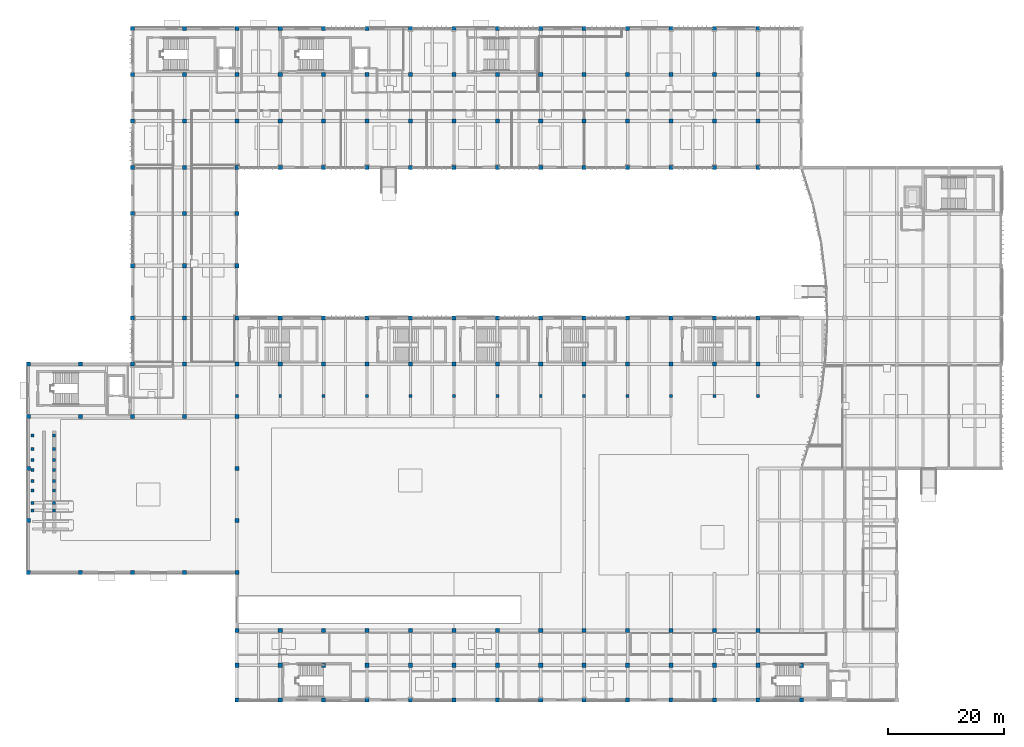
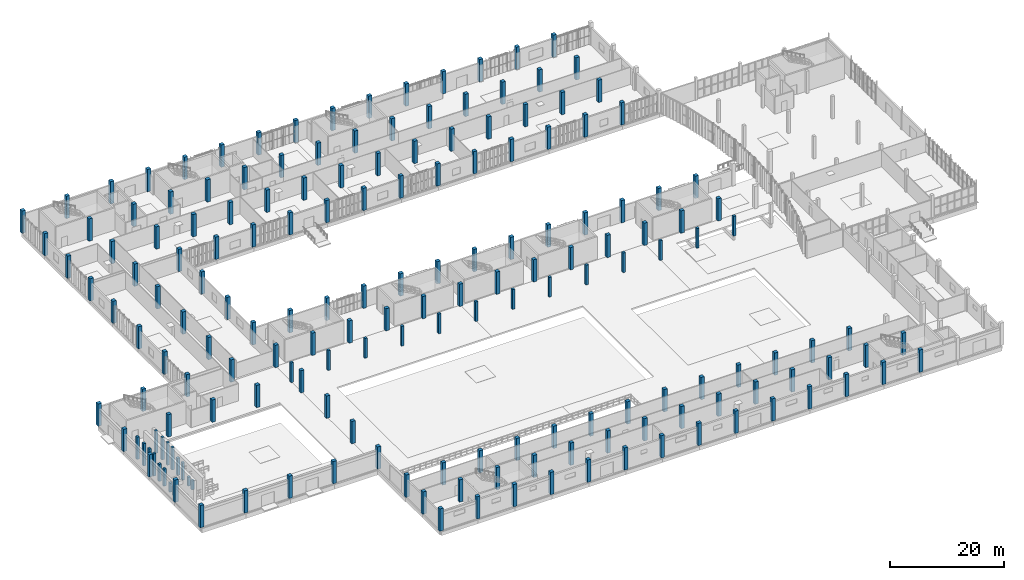
# One storey, part 1 of 72: 182 columns.
"""IFC4 building model written with IfcOpenShell, lengths in metres."""

import ifcopenshell
import ifcopenshell.guid

model = None  # the IFC model being written
_history = None  # IfcOwnerHistory: only IFC2X3 demands one
_inside = {}  # id of a spatial element -> (the spatial element, [elements in it])
_under = {}  # id of a project, library or spatial element -> (it, [spatial elements below it])
_declared = {}  # id of a project -> (the project, [libraries it declares])
_typed = {}  # id of a type object -> (the type object, [elements of that type])
_made_of = {}  # id of a material, layer set ... -> (it, [elements and type objects made of it])


def new_model(schema):
    """Start an empty IFC model of exactly this schema.

    Asked for "IFC4X3", IfcOpenShell would pick the latest addendum, in which some entities
    have other attributes; the version numbers below select the first issue.
    IFC2X3 requires an IfcOwnerHistory on every rooted entity: one is made here for all.
    """
    global model, _history
    if schema == "IFC4X3":
        model = ifcopenshell.file(schema_version=(4, 3, 0, 0))
    else:
        model = ifcopenshell.file(schema=schema)
    _inside.clear()
    _under.clear()
    _declared.clear()
    _typed.clear()
    _made_of.clear()
    _history = None
    if model.schema == "IFC2X3":
        org = make("IfcOrganization", Name="unknown")
        user = make(
            "IfcPersonAndOrganization",
            ThePerson=make("IfcPerson", FamilyName="unknown"),
            TheOrganization=org,
        )
        app = make(
            "IfcApplication",
            ApplicationDeveloper=org,
            Version="unknown",
            ApplicationFullName="unknown",
            ApplicationIdentifier="unknown",
        )
        _history = make(
            "IfcOwnerHistory",
            OwningUser=user,
            OwningApplication=app,
            ChangeAction="ADDED",
            CreationDate=0,
        )
    return model


def make(cls, **values):
    """One entity of the class cls with the attributes given. An attribute that is None is left unset."""
    return model.create_entity(
        cls, **{name: value for name, value in values.items() if value is not None}
    )


def rooted(cls, **values):
    """An entity with a GlobalId (a new one), such as an element, a storey or a relation."""
    return make(cls, GlobalId=ifcopenshell.guid.new(), OwnerHistory=_history, **values)


def si_unit(unit_type, name, prefix=None):
    """IfcSIUnit, for example si_unit("LENGTHUNIT", "METRE", prefix="MILLI")."""
    return make("IfcSIUnit", UnitType=unit_type, Prefix=prefix, Name=name)


def assignment(units):
    """IfcUnitAssignment: the units of a project."""
    return None if units is None else make("IfcUnitAssignment", Units=units)


def point(xyz):
    """IfcCartesianPoint."""
    return None if xyz is None else make("IfcCartesianPoint", Coordinates=xyz)


def direction(xyz):
    """IfcDirection."""
    return None if xyz is None else make("IfcDirection", DirectionRatios=xyz)


def frame(location, z_axis=None, x_axis=None):
    """IfcAxis2Placement3D, a coordinate frame: its origin and axes. An axis left out is left unset."""
    return make(
        "IfcAxis2Placement3D",
        Location=point(location),
        Axis=direction(z_axis),
        RefDirection=direction(x_axis),
    )


def frame_2d(location, x_axis=None):
    """IfcAxis2Placement2D, a coordinate frame in the plane: its origin and x axis."""
    return make(
        "IfcAxis2Placement2D", Location=point(location), RefDirection=direction(x_axis)
    )


def origin():
    """The frame at (0, 0, 0) with its axes left unset."""
    return frame((0.0, 0.0, 0.0))


def origin_2d():
    """The frame at (0, 0) in the plane with its x axis left unset."""
    return frame_2d((0.0, 0.0))


def place(relative_to, where):
    """IfcLocalPlacement: puts the frame where relative to a parent placement (None: the world)."""
    return make(
        "IfcLocalPlacement", PlacementRelTo=relative_to, RelativePlacement=where
    )


def context(
    kind, dimensions, precision=None, world=None, true_north=None, identifier=None
):
    """IfcGeometricRepresentationContext, for example the 3D "Model" context."""
    return make(
        "IfcGeometricRepresentationContext",
        ContextIdentifier=identifier,
        ContextType=kind,
        CoordinateSpaceDimension=dimensions,
        Precision=precision,
        WorldCoordinateSystem=world,
        TrueNorth=true_north,
    )


def subcontext(parent, identifier, kind, view, scale=None):
    """IfcGeometricRepresentationSubContext, for example "Body" below "Model"."""
    return make(
        "IfcGeometricRepresentationSubContext",
        ContextIdentifier=identifier,
        ContextType=kind,
        ParentContext=parent,
        TargetScale=scale,
        TargetView=view,
    )


def project(units=None, contexts=None):
    """IfcProject with its units and contexts."""
    return rooted(
        "IfcProject",
        Name="project",
        RepresentationContexts=contexts,
        UnitsInContext=assignment(units),
    )


def spatial(cls, under=None, at=None, **own):
    """A site, building, storey or space (cls), placed at a placement, below another one or the project."""
    s = rooted(cls, ObjectPlacement=at, **own)
    if under is not None:
        _under.setdefault(under.id(), (under, []))[1].append(s)
    return s


def profile(cls, at=None, kind="AREA", **sizes):
    """A parametric profile (cls). Its sizes go by their IFC names, for example OverallWidth=200.0."""
    return make(cls, ProfileType=kind, Position=at, **sizes)


def rectangle(**sizes):
    """IfcRectangleProfileDef."""
    return profile("IfcRectangleProfileDef", **sizes)


def extrude(swept, where, along, depth):
    """IfcExtrudedAreaSolid: the profile swept, set in the frame where, extruded along a direction by depth."""
    return make(
        "IfcExtrudedAreaSolid",
        SweptArea=swept,
        Position=where,
        ExtrudedDirection=direction(along),
        Depth=depth,
    )


def shape(context_of_items, identifier, shape_type, items):
    """IfcShapeRepresentation: the items that make up one representation, for example the "Body"."""
    return make(
        "IfcShapeRepresentation",
        ContextOfItems=context_of_items,
        RepresentationIdentifier=identifier,
        RepresentationType=shape_type,
        Items=items,
    )


def material(Name=None, Category=None):
    """IfcMaterial."""
    return make("IfcMaterial", Name=Name, Category=Category)


def material_profile(
    of_material, cross_section, Name=None, Category=None, Priority=None
):
    """IfcMaterialProfile: a cross section and its material."""
    return make(
        "IfcMaterialProfile",
        Name=Name,
        Material=of_material,
        Profile=cross_section,
        Priority=Priority,
        Category=Category,
    )


def profile_set(profiles, Name=None, composite=None):
    """IfcMaterialProfileSet."""
    return make(
        "IfcMaterialProfileSet",
        Name=Name,
        MaterialProfiles=profiles,
        CompositeProfile=composite,
    )


def made_of(thing, what):
    """Note that an element or type object is made of a material, layer set ...; save() writes the relation."""
    if what is not None:
        _made_of.setdefault(what.id(), (what, []))[1].append(thing)
    return thing


def type_object(cls, material=None, **own):
    """A type object (cls), such as IfcWallType, which elements share."""
    return made_of(rooted(cls, **own), material)


def element(
    cls,
    number,
    at=None,
    inside=None,
    cuts=None,
    type_object=None,
    material=None,
    context=None,
    identifier="Body",
    shape_type=None,
    held_by="IfcProductDefinitionShape",
    body=None,
    shapes=None,
    **own,
):
    """One element of the class cls, such as IfcWall. Its Tag is "e" and its number.

    at: its placement. inside: the storey or other place that contains it. cuts: it is an
    opening in that element (IfcRelVoidsElement). A single representation is given by context,
    identifier, shape_type and body (its items); several are given by shapes. held_by: the class
    of the entity that holds the representations. save() writes the other relations.
    """
    e = rooted(cls, Tag="e%d" % number, ObjectPlacement=at, **own)
    if body is not None:
        shapes = [shape(context, identifier, shape_type, body)]
    if shapes is not None:
        e.Representation = make(held_by, Representations=shapes)
    if inside is not None:
        _inside.setdefault(inside.id(), (inside, []))[1].append(e)
    if cuts is not None:
        rooted(
            "IfcRelVoidsElement", RelatingBuildingElement=cuts, RelatedOpeningElement=e
        )
    if type_object is not None:
        _typed.setdefault(type_object.id(), (type_object, []))[1].append(e)
    return made_of(e, material)


def aggregate(whole, parts):
    """IfcRelAggregates: a whole, such as a stair, and the parts it consists of."""
    return rooted("IfcRelAggregates", RelatingObject=whole, RelatedObjects=parts)


def save(model, path):
    """Write the relations noted so far, then the file.

    IfcRelAggregates (storeys below a building ...), IfcRelContainedInSpatialStructure (elements
    in a storey), IfcRelDefinesByType, IfcRelAssociatesMaterial and IfcRelDeclares: one each for
    every whole, place, type object, material and project.
    """
    for whole, parts in _under.values():
        aggregate(whole, parts)
    for where, things in _inside.values():
        rooted(
            "IfcRelContainedInSpatialStructure",
            RelatedElements=things,
            RelatingStructure=where,
        )
    for kind, things in _typed.values():
        rooted("IfcRelDefinesByType", RelatedObjects=things, RelatingType=kind)
    for what, things in _made_of.values():
        rooted("IfcRelAssociatesMaterial", RelatedObjects=things, RelatingMaterial=what)
    for by, libraries in _declared.values():
        rooted("IfcRelDeclares", RelatingContext=by, RelatedDefinitions=libraries)
    model.write(path)


model = new_model("IFC4")

# Units and contexts
model_context = context("Model", 3, precision=1e-05, world=origin(), true_north=direction((0.0, 1.0)))
body_context = subcontext(model_context, "Body", "Model", "MODEL_VIEW")
ifc_project = project(units=[si_unit("LENGTHUNIT", "METRE"), si_unit("AREAUNIT", "SQUARE_METRE"), si_unit("VOLUMEUNIT", "CUBIC_METRE"), si_unit("PLANEANGLEUNIT", "RADIAN"), si_unit("MASSUNIT", "GRAM", prefix="KILO")], contexts=[model_context])

# Site, building, storey
site_placement = place(None, origin())
site = spatial("IfcSite", under=ifc_project, at=site_placement, CompositionType="ELEMENT")
building_placement = place(site_placement, origin())
building = spatial("IfcBuilding", under=site, at=building_placement, Name="Vourika Railside Aquatics Centre", CompositionType="ELEMENT")
storey_placement = place(building_placement, origin())
storey = spatial("IfcBuildingStorey", under=building, at=storey_placement, Name="L00", CompositionType="ELEMENT", Elevation=0.0)

# Columns
ifc_material_1 = material(Name="Concrete C35/45", Category="concrete")
ifc_material_profile_1 = material_profile(ifc_material_1, rectangle(XDim=0.5, YDim=0.5, at=origin_2d()), Name="RC 500x500")
ifc_profile_set_1 = profile_set([ifc_material_profile_1], Name="Concrete C35/45")
column_type_1 = type_object("IfcColumnType", Name="COL-RC500", PredefinedType="COLUMN", material=ifc_profile_set_1)
for number, where, z_axis, x_axis, name in (
    (1, (0.719970703125, 32.75, 0.0), (0.0, 0.0, 1.0), (1.0, 0.0, 0.0), "Diving Platform 3.0 m Support Pier W1"),
    (2, (4.449951171875, 32.75, 0.0), (0.0, 0.0, 1.0), (1.0, 0.0, 0.0), "Diving Platform 3.0 m Support Pier E1"),
    (3, (0.719970703125, 34.050048828125, 0.0), (0.0, 0.0, 1.0), (1.0, 0.0, 0.0), "Diving Platform 3.0 m Support Pier W2"),
    (4, (4.449951171875, 34.050048828125, 0.0), (0.0, 0.0, 1.0), (1.0, 0.0, 0.0), "Diving Platform 3.0 m Support Pier E2"),
):
    element("IfcColumn", number, at=place(storey_placement, frame(where, z_axis=z_axis, x_axis=x_axis)), inside=storey, type_object=column_type_1, Name=name, PredefinedType="COLUMN", context=body_context, shape_type="SweptSolid", body=[
        extrude(rectangle(XDim=0.5, YDim=0.5, at=origin_2d()), origin(), (0.0, 0.0, 1.0), 1.909912109375),
    ])
for number, where, z_axis, x_axis, name in (
    (5, (0.719970703125, 36.14990234375, 0.0), (0.0, 0.0, 1.0), (1.0, 0.0, 0.0), "Diving Platform 5.0 m Support Pier W1"),
    (6, (4.449951171875, 36.14990234375, 0.0), (0.0, 0.0, 1.0), (1.0, 0.0, 0.0), "Diving Platform 5.0 m Support Pier E1"),
    (7, (0.719970703125, 37.85009765625, 0.0), (0.0, 0.0, 1.0), (1.0, 0.0, 0.0), "Diving Platform 5.0 m Support Pier W2"),
    (8, (4.449951171875, 37.85009765625, 0.0), (0.0, 0.0, 1.0), (1.0, 0.0, 0.0), "Diving Platform 5.0 m Support Pier E2"),
):
    element("IfcColumn", number, at=place(storey_placement, frame(where, z_axis=z_axis, x_axis=x_axis)), inside=storey, type_object=column_type_1, Name=name, PredefinedType="COLUMN", context=body_context, shape_type="SweptSolid", body=[
        extrude(rectangle(XDim=0.5, YDim=0.5, at=origin_2d()), origin(), (0.0, 0.0, 1.0), 3.68994140625),
    ])
for number, where, z_axis, x_axis, name in (
    (9, (0.719970703125, 39.75, 0.0), (0.0, 0.0, 1.0), (1.0, 0.0, 0.0), "Diving Platform 7.5 m Lower Pier W1"),
    (10, (4.449951171875, 39.75, 0.0), (0.0, 0.0, 1.0), (1.0, 0.0, 0.0), "Diving Platform 7.5 m Lower Pier E1"),
    (11, (0.719970703125, 41.449951171875, 0.0), (0.0, 0.0, 1.0), (1.0, 0.0, 0.0), "Diving Platform 7.5 m Lower Pier W2"),
    (12, (4.449951171875, 41.449951171875, 0.0), (0.0, 0.0, 1.0), (1.0, 0.0, 0.0), "Diving Platform 7.5 m Lower Pier E2"),
    (13, (0.719970703125, 43.35009765625, 0.0), (0.0, 0.0, 1.0), (1.0, 0.0, 0.0), "Diving Platform 10.0 m Lower Pier W1"),
    (14, (4.449951171875, 43.35009765625, 0.0), (0.0, 0.0, 1.0), (1.0, 0.0, 0.0), "Diving Platform 10.0 m Lower Pier E1"),
    (15, (0.719970703125, 45.64990234375, 0.0), (0.0, 0.0, 1.0), (1.0, 0.0, 0.0), "Diving Platform 10.0 m Lower Pier W2"),
    (16, (4.449951171875, 45.64990234375, 0.0), (0.0, 0.0, 1.0), (1.0, 0.0, 0.0), "Diving Platform 10.0 m Lower Pier E2"),
):
    element("IfcColumn", number, at=place(storey_placement, frame(where, z_axis=z_axis, x_axis=x_axis)), inside=storey, type_object=column_type_1, Name=name, PredefinedType="COLUMN", context=body_context, shape_type="SweptSolid", body=[
        extrude(rectangle(XDim=0.5, YDim=0.5, at=origin_2d()), origin(), (0.0, 0.0, 1.0), 4.800048828125),
    ])
for number, where, z_axis, x_axis, name in (
    (17, (36.0, 52.5, 0.0), (0.0, 0.0, 1.0), (1.0, 0.0, 0.0), "Grandstand Front Pier 36.0"),
    (18, (43.5, 52.5, 0.0), (0.0, 0.0, 1.0), (1.0, 0.0, 0.0), "Grandstand Front Pier 43.5"),
    (19, (51.0, 52.5, 0.0), (0.0, 0.0, 1.0), (1.0, 0.0, 0.0), "Grandstand Front Pier 51.0"),
    (20, (58.5, 52.5, 0.0), (0.0, 0.0, 1.0), (1.0, 0.0, 0.0), "Grandstand Front Pier 58.5"),
    (21, (66.0, 52.5, 0.0), (0.0, 0.0, 1.0), (1.0, 0.0, 0.0), "Grandstand Front Pier 66.0"),
    (22, (73.5, 52.5, 0.0), (0.0, 0.0, 1.0), (1.0, 0.0, 0.0), "Grandstand Front Pier 73.5"),
    (23, (81.0, 52.5, 0.0), (0.0, 0.0, 1.0), (1.0, 0.0, 0.0), "Grandstand Front Pier 81.0"),
    (24, (88.5, 52.5, 0.0), (0.0, 0.0, 1.0), (1.0, 0.0, 0.0), "Grandstand Front Pier 88.5"),
    (25, (96.0, 52.5, 0.0), (0.0, 0.0, 1.0), (1.0, 0.0, 0.0), "Grandstand Front Pier 96.0"),
    (26, (103.5, 52.5, 0.0), (0.0, 0.0, 1.0), (1.0, 0.0, 0.0), "Grandstand Front Pier 103.5"),
    (27, (111.0, 52.5, 0.0), (0.0, 0.0, 1.0), (1.0, 0.0, 0.0), "Grandstand Front Pier 111.0"),
    (28, (118.5, 52.5, 0.0), (0.0, 0.0, 1.0), (1.0, 0.0, 0.0), "Grandstand Front Pier 118.5"),
    (29, (126.0, 52.5, 0.0), (0.0, 0.0, 1.0), (1.0, 0.0, 0.0), "Grandstand Front Pier 126.0"),
):
    element("IfcColumn", number, at=place(storey_placement, frame(where, z_axis=z_axis, x_axis=x_axis)), inside=storey, type_object=column_type_1, Name=name, PredefinedType="COLUMN", context=body_context, shape_type="SweptSolid", body=[
        extrude(rectangle(XDim=0.5, YDim=0.5, at=origin_2d()), origin(), (0.0, 0.0, 1.0), 4.260009765625),
    ])
ifc_material_2 = material(Name="Concrete C40/50", Category="concrete")
ifc_material_profile_2 = material_profile(ifc_material_2, rectangle(XDim=0.699951171875, YDim=0.699951171875, at=origin_2d()), Name="RC 700x700")
ifc_profile_set_2 = profile_set([ifc_material_profile_2], Name="Concrete C40/50")
column_type_2 = type_object("IfcColumnType", Name="COL-RC700", PredefinedType="COLUMN", material=ifc_profile_set_2)
for number, where, z_axis, x_axis, name in (
    (30, (0.0, 22.0, 0.0), (0.0, 0.0, 1.0), (1.0, 0.0, 0.0), "Column col:L00:0_220"),
    (31, (0.0, 31.0, 0.0), (0.0, 0.0, 1.0), (1.0, 0.0, 0.0), "Column col:L00:0_310"),
    (32, (0.0, 40.0, 0.0), (0.0, 0.0, 1.0), (1.0, 0.0, 0.0), "Column col:L00:0_400"),
    (33, (0.0, 49.0, 0.0), (0.0, 0.0, 1.0), (1.0, 0.0, 0.0), "Column col:L00:0_490"),
    (34, (0.0, 58.0, 0.0), (0.0, 0.0, 1.0), (1.0, 0.0, 0.0), "Column col:L00:0_580"),
    (35, (9.0, 22.0, 0.0), (0.0, 0.0, 1.0), (1.0, 0.0, 0.0), "Column col:L00:90_220"),
    (36, (9.0, 49.0, 0.0), (0.0, 0.0, 1.0), (1.0, 0.0, 0.0), "Column col:L00:90_490"),
    (37, (9.0, 58.0, 0.0), (0.0, 0.0, 1.0), (1.0, 0.0, 0.0), "Column col:L00:90_580"),
    (38, (18.0, 22.0, 0.0), (0.0, 0.0, 1.0), (1.0, 0.0, 0.0), "Column col:L00:180_220"),
    (39, (18.0, 49.0, 0.0), (0.0, 0.0, 1.0), (1.0, 0.0, 0.0), "Column col:L00:180_490"),
    (40, (18.0, 58.0, 0.0), (0.0, 0.0, 1.0), (1.0, 0.0, 0.0), "Column col:L00:180_580"),
    (41, (18.0, 66.0, 0.0), (0.0, 0.0, 1.0), (1.0, 0.0, 0.0), "Column col:L00:180_660"),
    (42, (18.0, 75.0, 0.0), (0.0, 0.0, 1.0), (1.0, 0.0, 0.0), "Column col:L00:180_750"),
    (43, (18.0, 84.0, 0.0), (0.0, 0.0, 1.0), (1.0, 0.0, 0.0), "Column col:L00:180_840"),
    (44, (18.0, 92.0, 0.0), (0.0, 0.0, 1.0), (1.0, 0.0, 0.0), "Column col:L00:180_920"),
    (45, (18.0, 100.0, 0.0), (0.0, 0.0, 1.0), (1.0, 0.0, 0.0), "Column col:L00:180_1000"),
    (46, (18.0, 108.0, 0.0), (0.0, 0.0, 1.0), (1.0, 0.0, 0.0), "Column col:L00:180_1080"),
    (47, (18.0, 116.0, 0.0), (0.0, 0.0, 1.0), (1.0, 0.0, 0.0), "Column col:L00:180_1160"),
    (48, (27.0, 22.0, 0.0), (0.0, 0.0, 1.0), (1.0, 0.0, 0.0), "Column col:L00:270_220"),
    (49, (27.0, 49.0, 0.0), (0.0, 0.0, 1.0), (1.0, 0.0, 0.0), "Column col:L00:270_490"),
    (50, (27.0, 58.0, 0.0), (0.0, 0.0, 1.0), (1.0, 0.0, 0.0), "Column col:L00:270_580"),
    (51, (27.0, 66.0, 0.0), (0.0, 0.0, 1.0), (1.0, 0.0, 0.0), "Column col:L00:270_660"),
    (52, (27.0, 75.0, 0.0), (0.0, 0.0, 1.0), (1.0, 0.0, 0.0), "Column col:L00:270_750"),
    (53, (27.0, 84.0, 0.0), (0.0, 0.0, 1.0), (1.0, 0.0, 0.0), "Column col:L00:270_840"),
    (54, (27.0, 92.0, 0.0), (0.0, 0.0, 1.0), (1.0, 0.0, 0.0), "Column col:L00:270_920"),
    (55, (27.0, 100.0, 0.0), (0.0, 0.0, 1.0), (1.0, 0.0, 0.0), "Column col:L00:270_1000"),
    (56, (27.0, 108.0, 0.0), (0.0, 0.0, 1.0), (1.0, 0.0, 0.0), "Column col:L00:270_1080"),
    (57, (27.0, 116.0, 0.0), (0.0, 0.0, 1.0), (1.0, 0.0, 0.0), "Column col:L00:270_1160"),
    (58, (36.0, 0.0, 0.0), (0.0, 0.0, 1.0), (1.0, 0.0, 0.0), "Column col:L00:360_0"),
    (59, (36.0, 6.0, 0.0), (0.0, 0.0, 1.0), (1.0, 0.0, 0.0), "Column col:L00:360_60"),
    (60, (36.0, 12.0, 0.0), (0.0, 0.0, 1.0), (1.0, 0.0, 0.0), "Column col:L00:360_120"),
    (61, (36.0, 22.0, 0.0), (0.0, 0.0, 1.0), (1.0, 0.0, 0.0), "Column col:L00:360_220"),
    (62, (36.0, 31.0, 0.0), (0.0, 0.0, 1.0), (1.0, 0.0, 0.0), "Column col:L00:360_310"),
    (63, (36.0, 40.0, 0.0), (0.0, 0.0, 1.0), (1.0, 0.0, 0.0), "Column col:L00:360_400"),
    (64, (36.0, 49.0, 0.0), (0.0, 0.0, 1.0), (1.0, 0.0, 0.0), "Column col:L00:360_490"),
    (65, (36.0, 58.0, 0.0), (0.0, 0.0, 1.0), (1.0, 0.0, 0.0), "Column col:L00:360_580"),
    (66, (36.0, 66.0, 0.0), (0.0, 0.0, 1.0), (1.0, 0.0, 0.0), "Column col:L00:360_660"),
    (67, (36.0, 75.0, 0.0), (0.0, 0.0, 1.0), (1.0, 0.0, 0.0), "Column col:L00:360_750"),
    (68, (36.0, 84.0, 0.0), (0.0, 0.0, 1.0), (1.0, 0.0, 0.0), "Column col:L00:360_840"),
    (69, (36.0, 92.0, 0.0), (0.0, 0.0, 1.0), (1.0, 0.0, 0.0), "Column col:L00:360_920"),
    (70, (36.0, 100.0, 0.0), (0.0, 0.0, 1.0), (1.0, 0.0, 0.0), "Column col:L00:360_1000"),
    (71, (36.0, 108.0, 0.0), (0.0, 0.0, 1.0), (1.0, 0.0, 0.0), "Column col:L00:360_1080"),
    (72, (36.0, 116.0, 0.0), (0.0, 0.0, 1.0), (1.0, 0.0, 0.0), "Column col:L00:360_1160"),
    (73, (43.5, 0.0, 0.0), (0.0, 0.0, 1.0), (1.0, 0.0, 0.0), "Column col:L00:435_0"),
    (74, (43.5, 6.0, 0.0), (0.0, 0.0, 1.0), (1.0, 0.0, 0.0), "Column col:L00:435_60"),
    (75, (43.5, 12.0, 0.0), (0.0, 0.0, 1.0), (1.0, 0.0, 0.0), "Column col:L00:435_120"),
    (76, (43.5, 58.0, 0.0), (0.0, 0.0, 1.0), (1.0, 0.0, 0.0), "Column col:L00:435_580"),
    (77, (43.5, 66.0, 0.0), (0.0, 0.0, 1.0), (1.0, 0.0, 0.0), "Column col:L00:435_660"),
    (78, (43.5, 92.0, 0.0), (0.0, 0.0, 1.0), (1.0, 0.0, 0.0), "Column col:L00:435_920"),
    (79, (43.5, 100.0, 0.0), (0.0, 0.0, 1.0), (1.0, 0.0, 0.0), "Column col:L00:435_1000"),
    (80, (43.5, 108.0, 0.0), (0.0, 0.0, 1.0), (1.0, 0.0, 0.0), "Column col:L00:435_1080"),
    (81, (43.5, 116.0, 0.0), (0.0, 0.0, 1.0), (1.0, 0.0, 0.0), "Column col:L00:435_1160"),
    (82, (51.0, 0.0, 0.0), (0.0, 0.0, 1.0), (1.0, 0.0, 0.0), "Column col:L00:510_0"),
    (83, (51.0, 6.0, 0.0), (0.0, 0.0, 1.0), (1.0, 0.0, 0.0), "Column col:L00:510_60"),
    (84, (51.0, 12.0, 0.0), (0.0, 0.0, 1.0), (1.0, 0.0, 0.0), "Column col:L00:510_120"),
    (85, (51.0, 58.0, 0.0), (0.0, 0.0, 1.0), (1.0, 0.0, 0.0), "Column col:L00:510_580"),
    (86, (51.0, 66.0, 0.0), (0.0, 0.0, 1.0), (1.0, 0.0, 0.0), "Column col:L00:510_660"),
    (87, (51.0, 92.0, 0.0), (0.0, 0.0, 1.0), (1.0, 0.0, 0.0), "Column col:L00:510_920"),
    (88, (51.0, 100.0, 0.0), (0.0, 0.0, 1.0), (1.0, 0.0, 0.0), "Column col:L00:510_1000"),
    (89, (51.0, 108.0, 0.0), (0.0, 0.0, 1.0), (1.0, 0.0, 0.0), "Column col:L00:510_1080"),
    (90, (51.0, 116.0, 0.0), (0.0, 0.0, 1.0), (1.0, 0.0, 0.0), "Column col:L00:510_1160"),
    (91, (58.5, 0.0, 0.0), (0.0, 0.0, 1.0), (1.0, 0.0, 0.0), "Column col:L00:585_0"),
    (92, (58.5, 6.0, 0.0), (0.0, 0.0, 1.0), (1.0, 0.0, 0.0), "Column col:L00:585_60"),
    (93, (58.5, 12.0, 0.0), (0.0, 0.0, 1.0), (1.0, 0.0, 0.0), "Column col:L00:585_120"),
    (94, (58.5, 58.0, 0.0), (0.0, 0.0, 1.0), (1.0, 0.0, 0.0), "Column col:L00:585_580"),
    (95, (58.5, 66.0, 0.0), (0.0, 0.0, 1.0), (1.0, 0.0, 0.0), "Column col:L00:585_660"),
    (96, (58.5, 92.0, 0.0), (0.0, 0.0, 1.0), (1.0, 0.0, 0.0), "Column col:L00:585_920"),
    (97, (58.5, 100.0, 0.0), (0.0, 0.0, 1.0), (1.0, 0.0, 0.0), "Column col:L00:585_1000"),
    (98, (58.5, 108.0, 0.0), (0.0, 0.0, 1.0), (1.0, 0.0, 0.0), "Column col:L00:585_1080"),
    (99, (58.5, 116.0, 0.0), (0.0, 0.0, 1.0), (1.0, 0.0, 0.0), "Column col:L00:585_1160"),
    (100, (66.0, 0.0, 0.0), (0.0, 0.0, 1.0), (1.0, 0.0, 0.0), "Column col:L00:660_0"),
    (101, (66.0, 6.0, 0.0), (0.0, 0.0, 1.0), (1.0, 0.0, 0.0), "Column col:L00:660_60"),
    (102, (66.0, 12.0, 0.0), (0.0, 0.0, 1.0), (1.0, 0.0, 0.0), "Column col:L00:660_120"),
    (103, (66.0, 58.0, 0.0), (0.0, 0.0, 1.0), (1.0, 0.0, 0.0), "Column col:L00:660_580"),
    (104, (66.0, 66.0, 0.0), (0.0, 0.0, 1.0), (1.0, 0.0, 0.0), "Column col:L00:660_660"),
    (105, (66.0, 92.0, 0.0), (0.0, 0.0, 1.0), (1.0, 0.0, 0.0), "Column col:L00:660_920"),
    (106, (66.0, 100.0, 0.0), (0.0, 0.0, 1.0), (1.0, 0.0, 0.0), "Column col:L00:660_1000"),
    (107, (66.0, 108.0, 0.0), (0.0, 0.0, 1.0), (1.0, 0.0, 0.0), "Column col:L00:660_1080"),
    (108, (66.0, 116.0, 0.0), (0.0, 0.0, 1.0), (1.0, 0.0, 0.0), "Column col:L00:660_1160"),
    (109, (73.5, 0.0, 0.0), (0.0, 0.0, 1.0), (1.0, 0.0, 0.0), "Column col:L00:735_0"),
    (110, (73.5, 6.0, 0.0), (0.0, 0.0, 1.0), (1.0, 0.0, 0.0), "Column col:L00:735_60"),
    (111, (73.5, 12.0, 0.0), (0.0, 0.0, 1.0), (1.0, 0.0, 0.0), "Column col:L00:735_120"),
    (112, (73.5, 58.0, 0.0), (0.0, 0.0, 1.0), (1.0, 0.0, 0.0), "Column col:L00:735_580"),
    (113, (73.5, 66.0, 0.0), (0.0, 0.0, 1.0), (1.0, 0.0, 0.0), "Column col:L00:735_660"),
    (114, (73.5, 92.0, 0.0), (0.0, 0.0, 1.0), (1.0, 0.0, 0.0), "Column col:L00:735_920"),
    (115, (73.5, 100.0, 0.0), (0.0, 0.0, 1.0), (1.0, 0.0, 0.0), "Column col:L00:735_1000"),
    (116, (73.5, 108.0, 0.0), (0.0, 0.0, 1.0), (1.0, 0.0, 0.0), "Column col:L00:735_1080"),
    (117, (73.5, 116.0, 0.0), (0.0, 0.0, 1.0), (1.0, 0.0, 0.0), "Column col:L00:735_1160"),
    (118, (81.0, 0.0, 0.0), (0.0, 0.0, 1.0), (1.0, 0.0, 0.0), "Column col:L00:810_0"),
    (119, (81.0, 6.0, 0.0), (0.0, 0.0, 1.0), (1.0, 0.0, 0.0), "Column col:L00:810_60"),
    (120, (81.0, 12.0, 0.0), (0.0, 0.0, 1.0), (1.0, 0.0, 0.0), "Column col:L00:810_120"),
    (121, (81.0, 58.0, 0.0), (0.0, 0.0, 1.0), (1.0, 0.0, 0.0), "Column col:L00:810_580"),
    (122, (81.0, 66.0, 0.0), (0.0, 0.0, 1.0), (1.0, 0.0, 0.0), "Column col:L00:810_660"),
    (123, (81.0, 92.0, 0.0), (0.0, 0.0, 1.0), (1.0, 0.0, 0.0), "Column col:L00:810_920"),
    (124, (81.0, 100.0, 0.0), (0.0, 0.0, 1.0), (1.0, 0.0, 0.0), "Column col:L00:810_1000"),
    (125, (81.0, 108.0, 0.0), (0.0, 0.0, 1.0), (1.0, 0.0, 0.0), "Column col:L00:810_1080"),
    (126, (81.0, 116.0, 0.0), (0.0, 0.0, 1.0), (1.0, 0.0, 0.0), "Column col:L00:810_1160"),
    (127, (88.5, 0.0, 0.0), (0.0, 0.0, 1.0), (1.0, 0.0, 0.0), "Column col:L00:885_0"),
    (128, (88.5, 6.0, 0.0), (0.0, 0.0, 1.0), (1.0, 0.0, 0.0), "Column col:L00:885_60"),
    (129, (88.5, 12.0, 0.0), (0.0, 0.0, 1.0), (1.0, 0.0, 0.0), "Column col:L00:885_120"),
    (130, (88.5, 58.0, 0.0), (0.0, 0.0, 1.0), (1.0, 0.0, 0.0), "Column col:L00:885_580"),
    (131, (88.5, 66.0, 0.0), (0.0, 0.0, 1.0), (1.0, 0.0, 0.0), "Column col:L00:885_660"),
    (132, (88.5, 92.0, 0.0), (0.0, 0.0, 1.0), (1.0, 0.0, 0.0), "Column col:L00:885_920"),
    (133, (88.5, 100.0, 0.0), (0.0, 0.0, 1.0), (1.0, 0.0, 0.0), "Column col:L00:885_1000"),
    (134, (88.5, 108.0, 0.0), (0.0, 0.0, 1.0), (1.0, 0.0, 0.0), "Column col:L00:885_1080"),
    (135, (88.5, 116.0, 0.0), (0.0, 0.0, 1.0), (1.0, 0.0, 0.0), "Column col:L00:885_1160"),
    (136, (96.0, 0.0, 0.0), (0.0, 0.0, 1.0), (1.0, 0.0, 0.0), "Column col:L00:960_0"),
    (137, (96.0, 6.0, 0.0), (0.0, 0.0, 1.0), (1.0, 0.0, 0.0), "Column col:L00:960_60"),
    (138, (96.0, 12.0, 0.0), (0.0, 0.0, 1.0), (1.0, 0.0, 0.0), "Column col:L00:960_120"),
    (139, (96.0, 58.0, 0.0), (0.0, 0.0, 1.0), (1.0, 0.0, 0.0), "Column col:L00:960_580"),
    (140, (96.0, 66.0, 0.0), (0.0, 0.0, 1.0), (1.0, 0.0, 0.0), "Column col:L00:960_660"),
    (141, (96.0, 92.0, 0.0), (0.0, 0.0, 1.0), (1.0, 0.0, 0.0), "Column col:L00:960_920"),
    (142, (96.0, 100.0, 0.0), (0.0, 0.0, 1.0), (1.0, 0.0, 0.0), "Column col:L00:960_1000"),
    (143, (96.0, 108.0, 0.0), (0.0, 0.0, 1.0), (1.0, 0.0, 0.0), "Column col:L00:960_1080"),
    (144, (96.0, 116.0, 0.0), (0.0, 0.0, 1.0), (1.0, 0.0, 0.0), "Column col:L00:960_1160"),
    (145, (103.5, 0.0, 0.0), (0.0, 0.0, 1.0), (1.0, 0.0, 0.0), "Column col:L00:1035_0"),
    (146, (103.5, 6.0, 0.0), (0.0, 0.0, 1.0), (1.0, 0.0, 0.0), "Column col:L00:1035_60"),
    (147, (103.5, 12.0, 0.0), (0.0, 0.0, 1.0), (1.0, 0.0, 0.0), "Column col:L00:1035_120"),
    (148, (103.5, 58.0, 0.0), (0.0, 0.0, 1.0), (1.0, 0.0, 0.0), "Column col:L00:1035_580"),
    (149, (103.5, 66.0, 0.0), (0.0, 0.0, 1.0), (1.0, 0.0, 0.0), "Column col:L00:1035_660"),
    (150, (103.5, 92.0, 0.0), (0.0, 0.0, 1.0), (1.0, 0.0, 0.0), "Column col:L00:1035_920"),
    (151, (103.5, 100.0, 0.0), (0.0, 0.0, 1.0), (1.0, 0.0, 0.0), "Column col:L00:1035_1000"),
    (152, (103.5, 108.0, 0.0), (0.0, 0.0, 1.0), (1.0, 0.0, 0.0), "Column col:L00:1035_1080"),
    (153, (103.5, 116.0, 0.0), (0.0, 0.0, 1.0), (1.0, 0.0, 0.0), "Column col:L00:1035_1160"),
    (154, (111.0, 0.0, 0.0), (0.0, 0.0, 1.0), (1.0, 0.0, 0.0), "Column col:L00:1110_0"),
    (155, (111.0, 6.0, 0.0), (0.0, 0.0, 1.0), (1.0, 0.0, 0.0), "Column col:L00:1110_60"),
    (156, (111.0, 12.0, 0.0), (0.0, 0.0, 1.0), (1.0, 0.0, 0.0), "Column col:L00:1110_120"),
    (157, (111.0, 58.0, 0.0), (0.0, 0.0, 1.0), (1.0, 0.0, 0.0), "Column col:L00:1110_580"),
    (158, (111.0, 66.0, 0.0), (0.0, 0.0, 1.0), (1.0, 0.0, 0.0), "Column col:L00:1110_660"),
    (159, (111.0, 92.0, 0.0), (0.0, 0.0, 1.0), (1.0, 0.0, 0.0), "Column col:L00:1110_920"),
    (160, (111.0, 100.0, 0.0), (0.0, 0.0, 1.0), (1.0, 0.0, 0.0), "Column col:L00:1110_1000"),
    (161, (111.0, 108.0, 0.0), (0.0, 0.0, 1.0), (1.0, 0.0, 0.0), "Column col:L00:1110_1080"),
    (162, (111.0, 116.0, 0.0), (0.0, 0.0, 1.0), (1.0, 0.0, 0.0), "Column col:L00:1110_1160"),
    (163, (118.5, 0.0, 0.0), (0.0, 0.0, 1.0), (1.0, 0.0, 0.0), "Column col:L00:1185_0"),
    (164, (118.5, 6.0, 0.0), (0.0, 0.0, 1.0), (1.0, 0.0, 0.0), "Column col:L00:1185_60"),
    (165, (118.5, 12.0, 0.0), (0.0, 0.0, 1.0), (1.0, 0.0, 0.0), "Column col:L00:1185_120"),
    (166, (118.5, 58.0, 0.0), (0.0, 0.0, 1.0), (1.0, 0.0, 0.0), "Column col:L00:1185_580"),
    (167, (118.5, 66.0, 0.0), (0.0, 0.0, 1.0), (1.0, 0.0, 0.0), "Column col:L00:1185_660"),
    (168, (118.5, 92.0, 0.0), (0.0, 0.0, 1.0), (1.0, 0.0, 0.0), "Column col:L00:1185_920"),
    (169, (118.5, 100.0, 0.0), (0.0, 0.0, 1.0), (1.0, 0.0, 0.0), "Column col:L00:1185_1000"),
    (170, (118.5, 108.0, 0.0), (0.0, 0.0, 1.0), (1.0, 0.0, 0.0), "Column col:L00:1185_1080"),
    (171, (118.5, 116.0, 0.0), (0.0, 0.0, 1.0), (1.0, 0.0, 0.0), "Column col:L00:1185_1160"),
    (172, (126.0, 0.0, 0.0), (0.0, 0.0, 1.0), (1.0, 0.0, 0.0), "Column col:L00:1260_0"),
    (173, (126.0, 6.0, 0.0), (0.0, 0.0, 1.0), (1.0, 0.0, 0.0), "Column col:L00:1260_60"),
    (174, (126.0, 12.0, 0.0), (0.0, 0.0, 1.0), (1.0, 0.0, 0.0), "Column col:L00:1260_120"),
    (175, (126.0, 58.0, 0.0), (0.0, 0.0, 1.0), (1.0, 0.0, 0.0), "Column col:L00:1260_580"),
    (176, (126.0, 66.0, 0.0), (0.0, 0.0, 1.0), (1.0, 0.0, 0.0), "Column col:L00:1260_660"),
    (177, (126.0, 92.0, 0.0), (0.0, 0.0, 1.0), (1.0, 0.0, 0.0), "Column col:L00:1260_920"),
    (178, (126.0, 100.0, 0.0), (0.0, 0.0, 1.0), (1.0, 0.0, 0.0), "Column col:L00:1260_1000"),
    (179, (126.0, 108.0, 0.0), (0.0, 0.0, 1.0), (1.0, 0.0, 0.0), "Column col:L00:1260_1080"),
    (180, (126.0, 116.0, 0.0), (0.0, 0.0, 1.0), (1.0, 0.0, 0.0), "Column col:L00:1260_1160"),
    (181, (133.5, 0.0, 0.0), (0.0, 0.0, 1.0), (1.0, 0.0, 0.0), "Column col:L00:1335_0"),
    (182, (133.5, 6.0, 0.0), (0.0, 0.0, 1.0), (1.0, 0.0, 0.0), "Column col:L00:1335_60"),
):
    element("IfcColumn", number, at=place(storey_placement, frame(where, z_axis=z_axis, x_axis=x_axis)), inside=storey, type_object=column_type_2, Name=name, PredefinedType="COLUMN", context=body_context, shape_type="SweptSolid", body=[
        extrude(rectangle(XDim=0.699951171875, YDim=0.699951171875, at=origin_2d()), origin(), (0.0, 0.0, 1.0), 4.800048828125),
    ])

save(model, "model.ifc")
